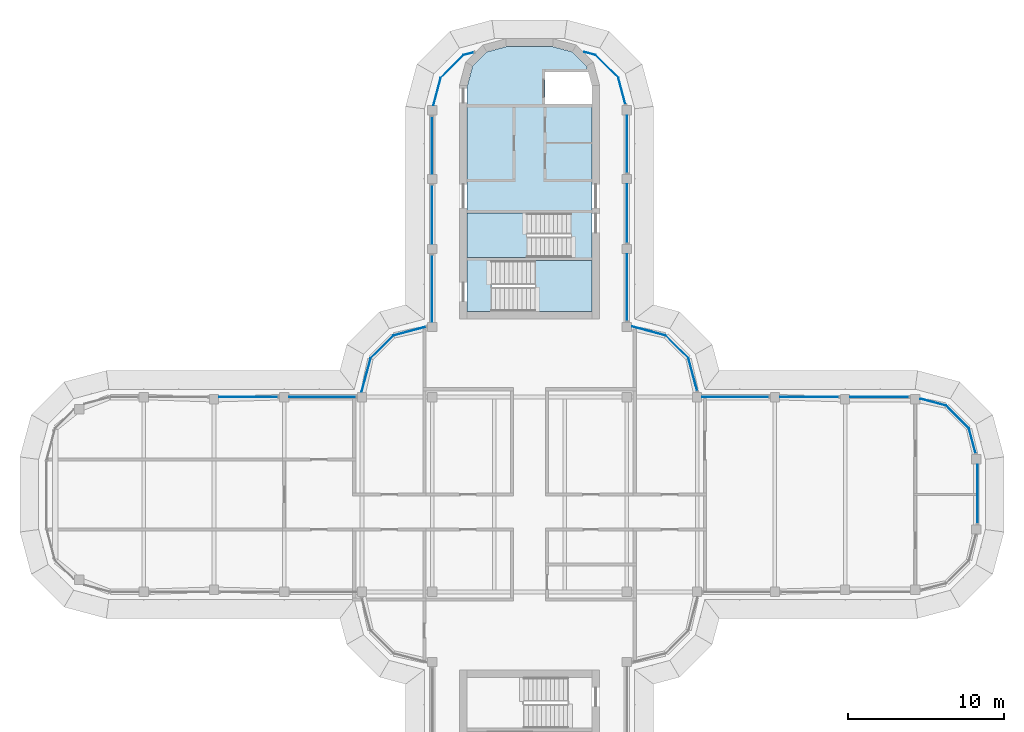
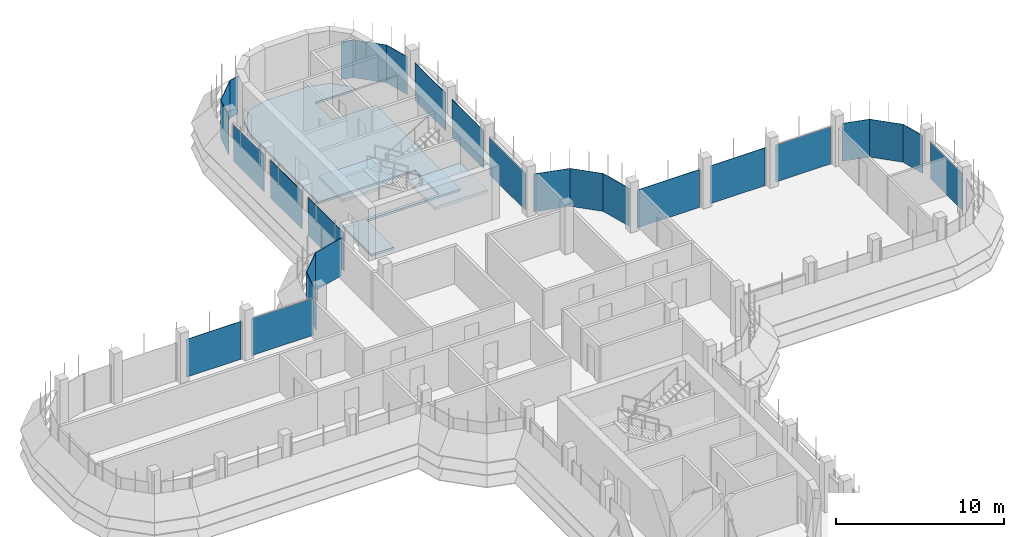
# One storey, part 12 of 19: 27 plates, 3 slabs, 22 elements without a shape of their own.
"""IFC4 building model written with IfcOpenShell, lengths in metres."""

from ifc_helpers import new_model, si_unit, direction, frame, origin, place, context, subcontext, project, spatial, polyline, outline, extrude, source, transform, mapped, material, layer, layer_set, type_object, element, aggregate, save


model = new_model("IFC4")

# Units and contexts
model_context = context("Model", 3, precision=1e-05, world=origin(), true_north=direction((0.0, 1.0)))
body_context = subcontext(model_context, "Body", "Model", "MODEL_VIEW")
ifc_project = project(units=[si_unit("LENGTHUNIT", "METRE"), si_unit("AREAUNIT", "SQUARE_METRE"), si_unit("VOLUMEUNIT", "CUBIC_METRE"), si_unit("PLANEANGLEUNIT", "RADIAN"), si_unit("MASSUNIT", "GRAM", prefix="KILO")], contexts=[model_context])

# Site, building, storey
site_placement = place(None, origin())
site = spatial("IfcSite", under=ifc_project, at=site_placement, CompositionType="ELEMENT")
building_placement = place(site_placement, origin())
building = spatial("IfcBuilding", under=site, at=building_placement, Name="Zarbagh Exchange Tower", CompositionType="ELEMENT")
storey_placement = place(building_placement, frame((0.0, 0.0, 276.39990234375)))
storey = spatial("IfcBuildingStorey", under=building, at=storey_placement, Name="L68", CompositionType="ELEMENT", Elevation=276.39990234375)

# Slab
ifc_material_1 = material(Name="Concrete C40/50", Category="concrete")
ifc_layer_1 = layer(ifc_material_1, 0.14990234375)
ifc_layer_set_1 = layer_set([ifc_layer_1], Name="Core floor slab 150 C40/50")
slab_type_1 = type_object("IfcSlabType", Name="Core floor slab 150 C40/50", PredefinedType="FLOOR", material=ifc_layer_set_1)
slab_1_placement = place(storey_placement, frame((0.0, 0.0, -0.14990234375)))
element("IfcSlab", 1, at=slab_1_placement, inside=storey, type_object=slab_type_1, Name="S17 core N", PredefinedType="FLOOR", context=body_context, shape_type="SweptSolid", body=[
    extrude(outline(polyline([(-4.0, 11.75), (-4.0, 15.199951171875), (2.64990234375, 15.199951171875), (2.64990234375, 18.050048828125), (-4.0, 18.050048828125), (-4.0, 26.18408203125), (-3.64990234375, 27.4912109375), (-2.7412109375, 28.39990234375), (-1.43408203125, 28.75), (1.43408203125, 28.75), (2.7412109375, 28.39990234375), (3.64990234375, 27.4912109375), (3.857666015625, 26.715087890625), (3.754638671875, 27.10009765625), (1.0, 27.10009765625), (1.0, 25.050048828125), (4.0, 25.050048828125), (4.0, 15.0), (-2.449951171875, 15.0), (-2.449951171875, 11.75), (-4.0, 11.75)])), origin(), (0.0, 0.0, 1.0), 0.14990234375),
])

# Stair, slab
stair_type = type_object("IfcStairType", Name="Exit stair two-flight half-turn", PredefinedType="HALF_TURN_STAIR", material=ifc_material_1)
stair_1_placement = place(storey_placement, origin())
stair_1 = element("IfcStair", 2, at=stair_1_placement, inside=storey, type_object=stair_type, Name="exit stair ST1", PredefinedType="HALF_TURN_STAIR")
ifc_layer_2 = layer(ifc_material_1, 0.199951171875)
ifc_layer_set_2 = layer_set([ifc_layer_2], Name="Stair landing 200 mm")
slab_type_2 = type_object("IfcSlabType", Name="Stair landing 200 mm", PredefinedType="LANDING", material=ifc_layer_set_2)
slab_2_placement = place(storey_placement, frame((0.0, 0.0, 1.7001953125)))
slab_2 = element("IfcSlab", 3, at=slab_2_placement, type_object=slab_type_2, Name="ST1 landing 1", PredefinedType="LANDING", context=body_context, shape_type="SweptSolid", body=[
    extrude(outline(polyline([(-0.14990234375, 18.050048828125), (-4.0, 18.050048828125), (-4.0, 15.199951171875), (-0.14990234375, 15.199951171875), (-0.14990234375, 18.050048828125)])), origin(), (0.0, 0.0, 1.0), 0.199951171875),
])
aggregate(stair_1, [slab_2])

stair_2_placement = place(storey_placement, origin())
stair_2 = element("IfcStair", 4, at=stair_2_placement, inside=storey, type_object=stair_type, Name="exit stair ST2", PredefinedType="HALF_TURN_STAIR")
slab_3_placement = place(storey_placement, frame((0.0, 0.0, 1.7001953125)))
slab_3 = element("IfcSlab", 5, at=slab_3_placement, type_object=slab_type_2, Name="ST2 landing 1", PredefinedType="LANDING", context=body_context, shape_type="SweptSolid", body=[
    extrude(outline(polyline([(0.35009765625, 11.75), (4.0, 11.75), (4.0, 15.0), (0.35009765625, 15.0), (0.35009765625, 11.75)])), origin(), (0.0, 0.0, 1.0), 0.199951171875),
])
aggregate(stair_2, [slab_3])

# Curtain wall, plate
ifc_material_2 = material(Name="Anodised aluminium frame and glazing", Category="aluminium")
curtain_wall_type = type_object("IfcCurtainWallType", Name="CWB Ribbon glazing, upper zones", PredefinedType="NOTDEFINED", material=ifc_material_2)
curtain_wall_1_placement = place(storey_placement, origin())
curtain_wall_1 = element("IfcCurtainWall", 6, at=curtain_wall_1_placement, inside=storey, type_object=curtain_wall_type, Name="CWB80 curtain wall", PredefinedType="NOTDEFINED")
ifc_material_3 = material(Name="Low-e double glazed unit, 6+12+6 mm")
ifc_layer_3 = layer(ifc_material_3, 0.031982421875)
ifc_layer_set_3 = layer_set([ifc_layer_3], Name="PAB Glazing panel, Low-e double glazed unit, 6+12+6 mm")
plate_type = type_object("IfcPlateType", Name="PAB Glazing panel, Low-e double glazed unit, 6+12+6 mm", PredefinedType="CURTAIN_PANEL", material=ifc_layer_set_3)
shared_shape_1 = source(origin(), body_context, "Body", "SweptSolid", [
    extrude(outline(polyline([(0.0, -0.01611328125), (2.061279296875, -0.01611328125), (2.061279296875, 0.01611328125), (0.0, 0.01611328125), (0.0, -0.01611328125)])), origin(), (0.0, 0.0, 1.0), 2.75),
])
placement = place(storey_placement, origin())
plate_1 = element("IfcPlate", 7, at=placement, type_object=plate_type, Name="CWB80 glazing panel 1.1", PredefinedType="CURTAIN_PANEL", context=body_context, shape_type="MappedRepresentation", body=[
    mapped(shared_shape_1, transform((28.19873046875, 4.2412109375, 0.0), x_axis=(-0.707106781187, 0.707106781187, 0.0), y_axis=(-0.707106781187, -0.707106781187, 0.0), z_axis=(0.0, 0.0, 1.0))),
])
aggregate(curtain_wall_1, [plate_1])

curtain_wall_2_placement = place(storey_placement, origin())
curtain_wall_2 = element("IfcCurtainWall", 8, at=curtain_wall_2_placement, inside=storey, type_object=curtain_wall_type, Name="CWB18 curtain wall", PredefinedType="NOTDEFINED")
plate_2 = element("IfcPlate", 9, at=placement, type_object=plate_type, Name="CWB18 glazing panel 1.1", PredefinedType="CURTAIN_PANEL", context=body_context, shape_type="MappedRepresentation", body=[
    mapped(shared_shape_1, transform((10.19873046875, 8.7412109375, 0.0), x_axis=(-0.707106781187, 0.707106781187, 0.0), y_axis=(-0.707106781187, -0.707106781187, 0.0), z_axis=(0.0, 0.0, 1.0))),
])
aggregate(curtain_wall_2, [plate_2])

curtain_wall_3_placement = place(storey_placement, origin())
curtain_wall_3 = element("IfcCurtainWall", 10, at=curtain_wall_3_placement, inside=storey, type_object=curtain_wall_type, Name="CWB74 curtain wall", PredefinedType="NOTDEFINED")
plate_3 = element("IfcPlate", 11, at=placement, type_object=plate_type, Name="CWB74 glazing panel 1.1", PredefinedType="CURTAIN_PANEL", context=body_context, shape_type="MappedRepresentation", body=[
    mapped(shared_shape_1, transform((5.69873046875, 26.7412109375, 0.0), x_axis=(-0.707106781187, 0.707106781187, 0.0), y_axis=(-0.707106781187, -0.707106781187, 0.0), z_axis=(0.0, 0.0, 1.0))),
])
aggregate(curtain_wall_3, [plate_3])

curtain_wall_4_placement = place(storey_placement, origin())
curtain_wall_4 = element("IfcCurtainWall", 12, at=curtain_wall_4_placement, inside=storey, type_object=curtain_wall_type, Name="CWB71 curtain wall", PredefinedType="NOTDEFINED")
plate_4 = element("IfcPlate", 13, at=placement, type_object=plate_type, Name="CWB71 glazing panel 1.1", PredefinedType="CURTAIN_PANEL", context=body_context, shape_type="MappedRepresentation", body=[
    mapped(shared_shape_1, transform((-4.2412109375, 28.19873046875, 0.0), x_axis=(-0.707106781187, -0.707106781187, 0.0), y_axis=(0.707106781187, -0.707106781187, 0.0), z_axis=(0.0, 0.0, 1.0))),
])
aggregate(curtain_wall_4, [plate_4])

curtain_wall_5_placement = place(storey_placement, origin())
curtain_wall_5 = element("IfcCurtainWall", 14, at=curtain_wall_5_placement, inside=storey, type_object=curtain_wall_type, Name="CWB30 curtain wall", PredefinedType="NOTDEFINED")
plate_5 = element("IfcPlate", 15, at=placement, type_object=plate_type, Name="CWB30 glazing panel 1.1", PredefinedType="CURTAIN_PANEL", context=body_context, shape_type="MappedRepresentation", body=[
    mapped(shared_shape_1, transform((-8.7412109375, 10.19873046875, 0.0), x_axis=(-0.707106781187, -0.707106781187, 0.0), y_axis=(0.707106781187, -0.707106781187, 0.0), z_axis=(0.0, 0.0, 1.0))),
])
aggregate(curtain_wall_5, [plate_5])

curtain_wall_6_placement = place(storey_placement, origin())
curtain_wall_6 = element("IfcCurtainWall", 16, at=curtain_wall_6_placement, inside=storey, type_object=curtain_wall_type, Name="CWB81 curtain wall", PredefinedType="NOTDEFINED")
shared_shape_2 = source(origin(), body_context, "Body", "SweptSolid", [
    extrude(outline(polyline([(0.0, -0.01611328125), (1.70947265625, -0.01611328125), (1.70947265625, 0.01611328125), (0.0, 0.01611328125), (0.0, -0.01611328125)])), origin(), (0.0, 0.0, 1.0), 2.75),
])
plate_6 = element("IfcPlate", 17, at=placement, type_object=plate_type, Name="CWB81 glazing panel 1.1", PredefinedType="CURTAIN_PANEL", context=body_context, shape_type="MappedRepresentation", body=[
    mapped(shared_shape_2, transform((26.7412109375, 5.69873046875, 0.0), x_axis=(-0.965924289636, 0.258824779902, 0.0), y_axis=(-0.258824779902, -0.965924289636, 0.0), z_axis=(0.0, 0.0, 1.0))),
])
aggregate(curtain_wall_6, [plate_6])

curtain_wall_7_placement = place(storey_placement, origin())
curtain_wall_7 = element("IfcCurtainWall", 18, at=curtain_wall_7_placement, inside=storey, type_object=curtain_wall_type, Name="CWB79 curtain wall", PredefinedType="NOTDEFINED")
shared_shape_3 = source(origin(), body_context, "Body", "SweptSolid", [
    extrude(outline(polyline([(0.0, -0.01611328125), (1.6494140625, -0.01611328125), (1.6494140625, 0.01611328125), (0.0, 0.01611328125), (0.0, -0.01611328125)])), origin(), (0.0, 0.0, 1.0), 2.75),
])
plate_7 = element("IfcPlate", 19, at=placement, type_object=plate_type, Name="CWB79 glazing panel 1.1", PredefinedType="CURTAIN_PANEL", context=body_context, shape_type="MappedRepresentation", body=[
    mapped(shared_shape_3, transform((28.625732421875, 2.64794921875, 0.0), x_axis=(-0.258824779902, 0.965924289636, 0.0), y_axis=(-0.965924289636, -0.258824779902, 0.0), z_axis=(0.0, 0.0, 1.0))),
])
aggregate(curtain_wall_7, [plate_7])

curtain_wall_8_placement = place(storey_placement, origin())
curtain_wall_8 = element("IfcCurtainWall", 20, at=curtain_wall_8_placement, inside=storey, type_object=curtain_wall_type, Name="CWB67 curtain wall", PredefinedType="NOTDEFINED")
shared_shape_4 = source(origin(), body_context, "Body", "SweptSolid", [
    extrude(outline(polyline([(0.0, -0.01611328125), (3.659912109375, -0.01611328125), (3.659912109375, 0.01611328125), (0.0, 0.01611328125), (0.0, -0.01611328125)])), origin(), (0.0, 0.0, 1.0), 2.75),
])
plate_8 = element("IfcPlate", 21, at=placement, type_object=plate_type, Name="CWB67 glazing panel 3.1", PredefinedType="CURTAIN_PANEL", context=body_context, shape_type="MappedRepresentation", body=[
    mapped(shared_shape_4, transform((6.25, 20.650146484375, 0.0), x_axis=(0.0, 1.0, 0.0), y_axis=(-1.0, 0.0, 0.0), z_axis=(0.0, 0.0, 1.0))),
])

curtain_wall_9_placement = place(storey_placement, origin())
curtain_wall_9 = element("IfcCurtainWall", 22, at=curtain_wall_9_placement, inside=storey, type_object=curtain_wall_type, Name="CWB69 curtain wall", PredefinedType="NOTDEFINED")
shared_shape_5 = source(origin(), body_context, "Body", "SweptSolid", [
    extrude(outline(polyline([(0.0, -0.01611328125), (0.757080078125, -0.01611328125), (0.757080078125, 0.01611328125), (0.0, 0.01611328125), (0.0, -0.01611328125)])), origin(), (0.0, 0.0, 1.0), 2.75),
])
plate_9 = element("IfcPlate", 23, at=placement, type_object=plate_type, Name="CWB69 glazing panel 1.1", PredefinedType="CURTAIN_PANEL", context=body_context, shape_type="MappedRepresentation", body=[
    mapped(shared_shape_5, transform((4.2412109375, 28.19873046875, 0.0), x_axis=(-0.965924289636, 0.258824779902, 0.0), y_axis=(-0.258824779902, -0.965924289636, 0.0), z_axis=(0.0, 0.0, 1.0))),
])
aggregate(curtain_wall_9, [plate_9])

curtain_wall_10_placement = place(storey_placement, origin())
curtain_wall_10 = element("IfcCurtainWall", 24, at=curtain_wall_10_placement, inside=storey, type_object=curtain_wall_type, Name="CWB70 curtain wall", PredefinedType="NOTDEFINED")
shared_shape_6 = source(origin(), body_context, "Body", "SweptSolid", [
    extrude(outline(polyline([(0.0, -0.01611328125), (0.697021484375, -0.01611328125), (0.697021484375, 0.01611328125), (0.0, 0.01611328125), (0.0, -0.01611328125)])), origin(), (0.0, 0.0, 1.0), 2.75),
])
plate_10 = element("IfcPlate", 25, at=placement, type_object=plate_type, Name="CWB70 glazing panel 1.1", PredefinedType="CURTAIN_PANEL", context=body_context, shape_type="MappedRepresentation", body=[
    mapped(shared_shape_6, transform((-3.56787109375, 28.379150390625, 0.0), x_axis=(-0.965924289636, -0.258824779902, 0.0), y_axis=(0.258824779902, -0.965924289636, 0.0), z_axis=(0.0, 0.0, 1.0))),
])
aggregate(curtain_wall_10, [plate_10])

curtain_wall_11_placement = place(storey_placement, origin())
curtain_wall_11 = element("IfcCurtainWall", 26, at=curtain_wall_11_placement, inside=storey, type_object=curtain_wall_type, Name="CWB72 curtain wall", PredefinedType="NOTDEFINED")
shared_shape_7 = source(origin(), body_context, "Body", "SweptSolid", [
    extrude(outline(polyline([(0.0, -0.01611328125), (1.81298828125, -0.01611328125), (1.81298828125, 0.01611328125), (0.0, 0.01611328125), (0.0, -0.01611328125)])), origin(), (0.0, 0.0, 1.0), 2.75),
])
plate_11 = element("IfcPlate", 27, at=placement, type_object=plate_type, Name="CWB72 glazing panel 1.1", PredefinedType="CURTAIN_PANEL", context=body_context, shape_type="MappedRepresentation", body=[
    mapped(shared_shape_7, transform((-5.69873046875, 26.7412109375, 0.0), x_axis=(-0.258824779902, -0.965924289636, 0.0), y_axis=(0.965924289636, -0.258824779902, 0.0), z_axis=(0.0, 0.0, 1.0))),
])
aggregate(curtain_wall_11, [plate_11])

curtain_wall_12_placement = place(storey_placement, origin())
curtain_wall_12 = element("IfcCurtainWall", 28, at=curtain_wall_12_placement, inside=storey, type_object=curtain_wall_type, Name="CWB82 curtain wall", PredefinedType="NOTDEFINED")
shared_shape_8 = source(origin(), body_context, "Body", "SweptSolid", [
    extrude(outline(polyline([(0.0, -0.01611328125), (3.760009765625, -0.01611328125), (3.760009765625, 0.01611328125), (0.0, 0.01611328125), (0.0, -0.01611328125)])), origin(), (0.0, 0.0, 1.0), 2.75),
])
plate_12 = element("IfcPlate", 29, at=placement, type_object=plate_type, Name="CWB82 glazing panel 2.1", PredefinedType="CURTAIN_PANEL", context=body_context, shape_type="MappedRepresentation", body=[
    mapped(shared_shape_8, transform((19.849853515625, 6.25, 0.0), x_axis=(-1.0, 0.0, 0.0), y_axis=(0.0, -1.0, 0.0), z_axis=(0.0, 0.0, 1.0))),
])

# Plate
plate_13 = element("IfcPlate", 30, at=placement, type_object=plate_type, Name="CWB67 glazing panel 2.1", PredefinedType="CURTAIN_PANEL", context=body_context, shape_type="MappedRepresentation", body=[
    mapped(shared_shape_8, transform((6.25, 16.150146484375, 0.0), x_axis=(0.0, 1.0, 0.0), y_axis=(-1.0, 0.0, 0.0), z_axis=(0.0, 0.0, 1.0))),
])

# Curtain wall, plate
curtain_wall_13_placement = place(storey_placement, origin())
curtain_wall_13 = element("IfcCurtainWall", 31, at=curtain_wall_13_placement, inside=storey, type_object=curtain_wall_type, Name="CWB73 curtain wall", PredefinedType="NOTDEFINED")
plate_14 = element("IfcPlate", 32, at=placement, type_object=plate_type, Name="CWB73 glazing panel 2.1", PredefinedType="CURTAIN_PANEL", context=body_context, shape_type="MappedRepresentation", body=[
    mapped(shared_shape_8, transform((-6.25, 19.849853515625, 0.0), x_axis=(0.0, -1.0, 0.0), y_axis=(1.0, 0.0, 0.0), z_axis=(0.0, 0.0, 1.0))),
])

curtain_wall_14_placement = place(storey_placement, origin())
curtain_wall_14 = element("IfcCurtainWall", 33, at=curtain_wall_14_placement, inside=storey, type_object=curtain_wall_type, Name="CWB58 curtain wall", PredefinedType="NOTDEFINED")
plate_15 = element("IfcPlate", 34, at=placement, type_object=plate_type, Name="CWB58 glazing panel 2.1", PredefinedType="CURTAIN_PANEL", context=body_context, shape_type="MappedRepresentation", body=[
    mapped(shared_shape_8, transform((-16.150146484375, 6.25, 0.0), x_axis=(-1.0, 0.0, 0.0), y_axis=(0.0, -1.0, 0.0), z_axis=(0.0, 0.0, 1.0))),
])

# Plate
shared_shape_9 = source(origin(), body_context, "Body", "SweptSolid", [
    extrude(outline(polyline([(0.0, -0.01611328125), (4.260009765625, -0.01611328125), (4.260009765625, 0.01611328125), (0.0, 0.01611328125), (0.0, -0.01611328125)])), origin(), (0.0, 0.0, 1.0), 2.75),
])
plate_16 = element("IfcPlate", 35, at=placement, type_object=plate_type, Name="CWB82 glazing panel 3.1", PredefinedType="CURTAIN_PANEL", context=body_context, shape_type="MappedRepresentation", body=[
    mapped(shared_shape_9, transform((15.349853515625, 6.25, 0.0), x_axis=(-1.0, 0.0, 0.0), y_axis=(0.0, -1.0, 0.0), z_axis=(0.0, 0.0, 1.0))),
])

plate_17 = element("IfcPlate", 36, at=placement, type_object=plate_type, Name="CWB73 glazing panel 3.1", PredefinedType="CURTAIN_PANEL", context=body_context, shape_type="MappedRepresentation", body=[
    mapped(shared_shape_9, transform((-6.25, 15.349853515625, 0.0), x_axis=(0.0, -1.0, 0.0), y_axis=(1.0, 0.0, 0.0), z_axis=(0.0, 0.0, 1.0))),
])

# Curtain wall, plate
curtain_wall_15_placement = place(storey_placement, origin())
curtain_wall_15 = element("IfcCurtainWall", 37, at=curtain_wall_15_placement, inside=storey, type_object=curtain_wall_type, Name="CWB17 curtain wall", PredefinedType="NOTDEFINED")
shared_shape_10 = source(origin(), body_context, "Body", "SweptSolid", [
    extrude(outline(polyline([(0.0, -0.01611328125), (2.1669921875, -0.01611328125), (2.1669921875, 0.01611328125), (0.0, 0.01611328125), (0.0, -0.01611328125)])), origin(), (0.0, 0.0, 1.0), 2.75),
])
plate_18 = element("IfcPlate", 38, at=placement, type_object=plate_type, Name="CWB17 glazing panel 1.1", PredefinedType="CURTAIN_PANEL", context=body_context, shape_type="MappedRepresentation", body=[
    mapped(shared_shape_10, transform((10.759765625, 6.64794921875, 0.0), x_axis=(-0.258824779902, 0.965924289636, 0.0), y_axis=(-0.965924289636, -0.258824779902, 0.0), z_axis=(0.0, 0.0, 1.0))),
])
aggregate(curtain_wall_15, [plate_18])

curtain_wall_16_placement = place(storey_placement, origin())
curtain_wall_16 = element("IfcCurtainWall", 39, at=curtain_wall_16_placement, inside=storey, type_object=curtain_wall_type, Name="CWB29 curtain wall", PredefinedType="NOTDEFINED")
plate_19 = element("IfcPlate", 40, at=placement, type_object=plate_type, Name="CWB29 glazing panel 1.1", PredefinedType="CURTAIN_PANEL", context=body_context, shape_type="MappedRepresentation", body=[
    mapped(shared_shape_10, transform((-6.64794921875, 10.759765625, 0.0), x_axis=(-0.965924289636, -0.258824779902, 0.0), y_axis=(0.258824779902, -0.965924289636, 0.0), z_axis=(0.0, 0.0, 1.0))),
])
aggregate(curtain_wall_16, [plate_19])

curtain_wall_17_placement = place(storey_placement, origin())
curtain_wall_17 = element("IfcCurtainWall", 41, at=curtain_wall_17_placement, inside=storey, type_object=curtain_wall_type, Name="CWB19 curtain wall", PredefinedType="NOTDEFINED")
shared_shape_11 = source(origin(), body_context, "Body", "SweptSolid", [
    extrude(outline(polyline([(0.0, -0.01611328125), (2.22705078125, -0.01611328125), (2.22705078125, 0.01611328125), (0.0, 0.01611328125), (0.0, -0.01611328125)])), origin(), (0.0, 0.0, 1.0), 2.75),
])
plate_20 = element("IfcPlate", 42, at=placement, type_object=plate_type, Name="CWB19 glazing panel 1.1", PredefinedType="CURTAIN_PANEL", context=body_context, shape_type="MappedRepresentation", body=[
    mapped(shared_shape_11, transform((8.7412109375, 10.19873046875, 0.0), x_axis=(-0.965924289636, 0.258824779902, 0.0), y_axis=(-0.258824779902, -0.965924289636, 0.0), z_axis=(0.0, 0.0, 1.0))),
])
aggregate(curtain_wall_17, [plate_20])

curtain_wall_18_placement = place(storey_placement, origin())
curtain_wall_18 = element("IfcCurtainWall", 43, at=curtain_wall_18_placement, inside=storey, type_object=curtain_wall_type, Name="CWB31 curtain wall", PredefinedType="NOTDEFINED")
plate_21 = element("IfcPlate", 44, at=placement, type_object=plate_type, Name="CWB31 glazing panel 1.1", PredefinedType="CURTAIN_PANEL", context=body_context, shape_type="MappedRepresentation", body=[
    mapped(shared_shape_11, transform((-10.19873046875, 8.7412109375, 0.0), x_axis=(-0.258824779902, -0.965924289636, 0.0), y_axis=(0.965924289636, -0.258824779902, 0.0), z_axis=(0.0, 0.0, 1.0))),
])
aggregate(curtain_wall_18, [plate_21])

# Plate
shared_shape_12 = source(origin(), body_context, "Body", "SweptSolid", [
    extrude(outline(polyline([(0.0, -0.01611328125), (4.260009765625, -0.01611328125), (4.260009765625, 0.01611328125), (0.0, 0.01611328125), (0.0, -0.01611328125)])), origin(), (0.0, 0.0, 1.0), 2.68994140625),
])
plate_22 = element("IfcPlate", 45, at=placement, type_object=plate_type, Name="CWB67 glazing panel 1.1", PredefinedType="CURTAIN_PANEL", context=body_context, shape_type="MappedRepresentation", body=[
    mapped(shared_shape_12, transform((6.25, 11.150146484375, 0.0), x_axis=(0.0, 1.0, 0.0), y_axis=(-1.0, 0.0, 0.0), z_axis=(0.0, 0.0, 1.0))),
])

aggregate(curtain_wall_8, [plate_22, plate_13, plate_8])

plate_23 = element("IfcPlate", 46, at=placement, type_object=plate_type, Name="CWB58 glazing panel 1.1", PredefinedType="CURTAIN_PANEL", context=body_context, shape_type="MappedRepresentation", body=[
    mapped(shared_shape_12, transform((-11.150146484375, 6.25, 0.0), x_axis=(-1.0, 0.0, 0.0), y_axis=(0.0, -1.0, 0.0), z_axis=(0.0, 0.0, 1.0))),
])

aggregate(curtain_wall_14, [plate_23, plate_15])

# Curtain wall, plate
curtain_wall_19_placement = place(storey_placement, origin())
curtain_wall_19 = element("IfcCurtainWall", 47, at=curtain_wall_19_placement, inside=storey, type_object=curtain_wall_type, Name="CWB83 curtain wall", PredefinedType="NOTDEFINED")
shared_shape_13 = source(origin(), body_context, "Body", "SweptSolid", [
    extrude(outline(polyline([(0.0, -0.01611328125), (3.760009765625, -0.01611328125), (3.760009765625, 0.01611328125), (0.0, 0.01611328125), (0.0, -0.01611328125)])), origin(), (0.0, 0.0, 1.0), 2.68994140625),
])
plate_24 = element("IfcPlate", 48, at=placement, type_object=plate_type, Name="CWB83 glazing panel 1.1", PredefinedType="CURTAIN_PANEL", context=body_context, shape_type="MappedRepresentation", body=[
    mapped(shared_shape_13, transform((28.75, -1.849853515625, 0.0), x_axis=(0.0, 1.0, 0.0), y_axis=(-1.0, 0.0, 0.0), z_axis=(0.0, 0.0, 1.0))),
])
aggregate(curtain_wall_19, [plate_24])

# Plate
plate_25 = element("IfcPlate", 49, at=placement, type_object=plate_type, Name="CWB82 glazing panel 1.1", PredefinedType="CURTAIN_PANEL", context=body_context, shape_type="MappedRepresentation", body=[
    mapped(shared_shape_13, transform((24.349853515625, 6.25, 0.0), x_axis=(-1.0, 0.0, 0.0), y_axis=(0.0, -1.0, 0.0), z_axis=(0.0, 0.0, 1.0))),
])

aggregate(curtain_wall_12, [plate_25, plate_12, plate_16])

# Curtain wall, plate
curtain_wall_20_placement = place(storey_placement, origin())
curtain_wall_20 = element("IfcCurtainWall", 50, at=curtain_wall_20_placement, inside=storey, type_object=curtain_wall_type, Name="CWB68 curtain wall", PredefinedType="NOTDEFINED")
shared_shape_14 = source(origin(), body_context, "Body", "SweptSolid", [
    extrude(outline(polyline([(0.0, -0.01611328125), (1.7529296875, -0.01611328125), (1.7529296875, 0.01611328125), (0.0, 0.01611328125), (0.0, -0.01611328125)])), origin(), (0.0, 0.0, 1.0), 2.75),
])
plate_26 = element("IfcPlate", 51, at=placement, type_object=plate_type, Name="CWB68 glazing panel 1.1", PredefinedType="CURTAIN_PANEL", context=body_context, shape_type="MappedRepresentation", body=[
    mapped(shared_shape_14, transform((6.152587890625, 25.0478515625, 0.0), x_axis=(-0.258824779902, 0.965924289636, 0.0), y_axis=(-0.965924289636, -0.258824779902, 0.0), z_axis=(0.0, 0.0, 1.0))),
])
aggregate(curtain_wall_20, [plate_26])

# Plate
shared_shape_15 = source(origin(), body_context, "Body", "SweptSolid", [
    extrude(outline(polyline([(0.0, -0.01611328125), (3.659912109375, -0.01611328125), (3.659912109375, 0.01611328125), (0.0, 0.01611328125), (0.0, -0.01611328125)])), origin(), (0.0, 0.0, 1.0), 2.68994140625),
])
plate_27 = element("IfcPlate", 52, at=placement, type_object=plate_type, Name="CWB73 glazing panel 1.1", PredefinedType="CURTAIN_PANEL", context=body_context, shape_type="MappedRepresentation", body=[
    mapped(shared_shape_15, transform((-6.25, 24.25, 0.0), x_axis=(0.0, -1.0, 0.0), y_axis=(1.0, 0.0, 0.0), z_axis=(0.0, 0.0, 1.0))),
])

aggregate(curtain_wall_13, [plate_27, plate_14, plate_17])

save(model, "model.ifc")
